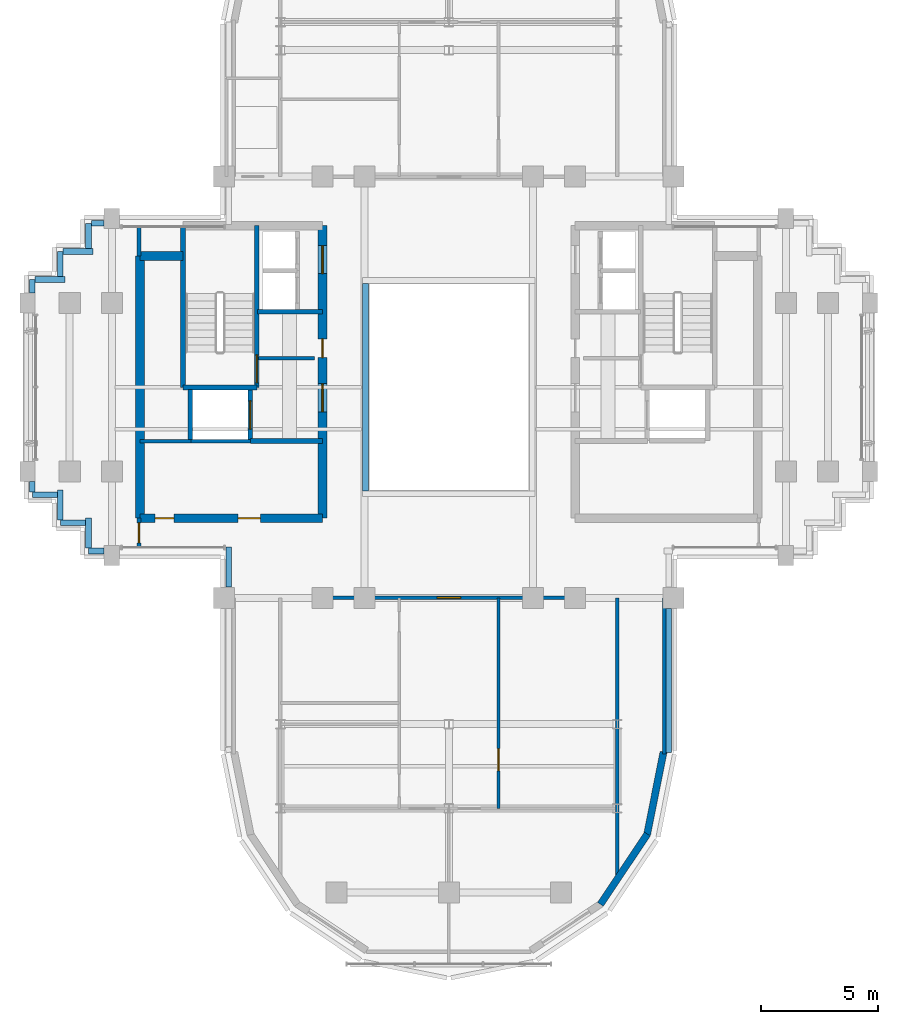
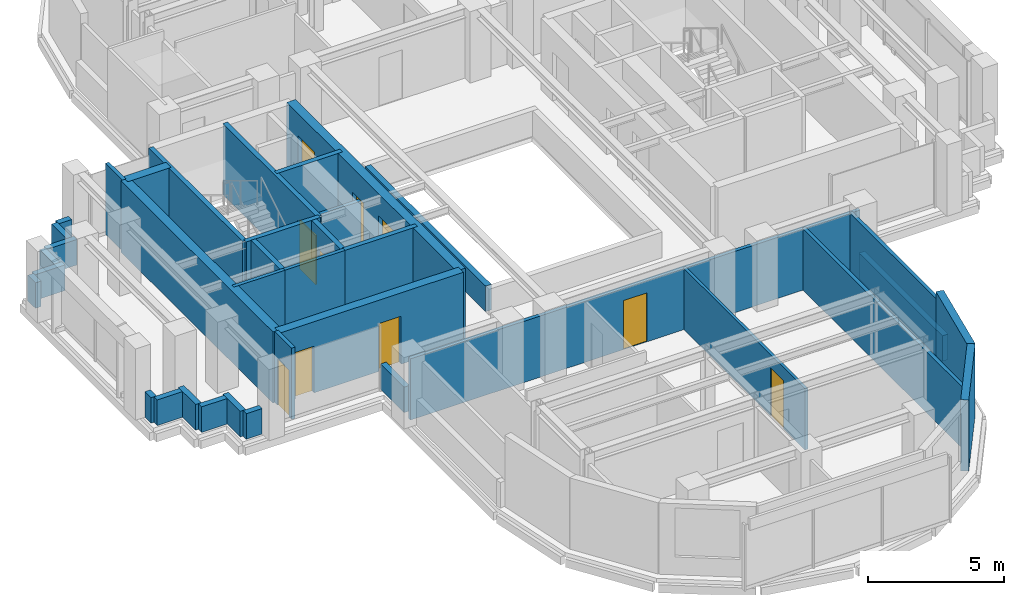
# One storey, part 6 of 11: 37 walls, 10 doors, 10 openings.
"""IFC4 building model written with IfcOpenShell, lengths in metres."""

from ifc_helpers import new_model, si_unit, direction, frame, frame_2d, origin, place, context, subcontext, project, spatial, rectangle, extrude, source, transform, mapped, material, layer, layer_set, type_object, element, fill, save


model = new_model("IFC4")

# Units and contexts
model_context = context("Model", 3, precision=1e-05, world=origin(), true_north=direction((0.0, 1.0)))
body_context = subcontext(model_context, "Body", "Model", "MODEL_VIEW")
ifc_project = project(units=[si_unit("LENGTHUNIT", "METRE"), si_unit("AREAUNIT", "SQUARE_METRE"), si_unit("VOLUMEUNIT", "CUBIC_METRE"), si_unit("PLANEANGLEUNIT", "RADIAN"), si_unit("MASSUNIT", "GRAM", prefix="KILO")], contexts=[model_context])

# Site, building, storey
site_placement = place(None, origin())
site = spatial("IfcSite", under=ifc_project, at=site_placement, CompositionType="ELEMENT")
building_placement = place(site_placement, origin())
building = spatial("IfcBuilding", under=site, at=building_placement, Name="Keilestroom Media Tower", CompositionType="ELEMENT")
storey_placement = place(building_placement, frame((0.0, 0.0, 204.60009765625)))
storey = spatial("IfcBuildingStorey", under=building, at=storey_placement, Name="L56", CompositionType="ELEMENT", Elevation=204.60009765625)

# Walls
ifc_material_1 = material(Name="Precast concrete C40/50", Category="concrete")
ifc_layer_1 = layer(ifc_material_1, 0.300048828125)
ifc_layer_set_1 = layer_set([ifc_layer_1], Name="Precast concrete C40/50")
wall_type_1 = type_object("IfcWallType", Name="Exterior-Masonry-Spandrel-Wall-300", PredefinedType="SOLIDWALL", material=ifc_layer_set_1)
for number, where, z_axis, x_axis, name in (
    (1, (6.47705078125, -22.097900390625, 0.0), (0.0, 0.0, 1.0), (0.555574187116, 0.831466970246, 0.0), "L56 Lobe Facet Precast Frame Wall 11"),
    (2, (8.470703125, -19.12451171875, 0.0), (0.0, 0.0, 1.0), (0.195114232679, 0.980780523974, 0.0), "L56 Lobe Facet Precast Frame Wall 12"),
):
    element("IfcWall", number, at=place(storey_placement, frame(where, z_axis=z_axis, x_axis=x_axis)), inside=storey, type_object=wall_type_1, Name=name, PredefinedType="SOLIDWALL", context=body_context, shape_type="SweptSolid", body=[
        extrude(rectangle(XDim=3.608642578125, YDim=0.300048828125, at=frame_2d((1.80419921875, 0.0))), origin(), (0.0, 0.0, 1.0), 3.199951171875),
    ])

# Wall, opening, door
ifc_material_2 = material(Name="Gypsum Plasterboard & Steel Stud", Category="steel")
ifc_layer_2 = layer(ifc_material_2, 0.1201171875)
ifc_layer_set_2 = layer_set([ifc_layer_2], Name="Gypsum Plasterboard & Steel Stud")
wall_type_2 = type_object("IfcWallType", Name="Interior-Partition-Wall-120", PredefinedType="PARTITIONING", material=ifc_layer_set_2)
wall_1_placement = place(storey_placement, frame((2.1201171875, -18.0, 0.0), z_axis=(0.0, 0.0, 1.0), x_axis=(0.0, 1.0, 0.0)))
wall_1 = element("IfcWall", 3, at=wall_1_placement, inside=storey, type_object=wall_type_2, Name="L56 Interior Wall WP-L56-FW-S-HE", PredefinedType="PARTITIONING", context=body_context, shape_type="SweptSolid", body=[
    extrude(rectangle(XDim=9.0, YDim=0.1201171875, at=frame_2d((4.5, 0.0))), origin(), (0.0, 0.0, 1.0), 2.75),
])
opening_1_placement = place(wall_1_placement, frame((1.60009765625, 0.0, 0.0)))
opening_1 = element("IfcOpeningElement", 4, at=opening_1_placement, cuts=wall_1, Name="Opening DI-03", PredefinedType="OPENING", context=body_context, shape_type="SweptSolid", body=[
    extrude(rectangle(XDim=0.949951171875, YDim=2.14990234375, at=frame_2d((0.47509765625, 1.074951171875))), frame((0.0, 0.070068359375, 0.0), z_axis=(0.0, -1.0, 0.0), x_axis=(1.0, 0.0, 0.0)), (0.0, 0.0, 1.0), 0.14013671875),
])
ifc_material_3 = material(Name="Lacquered European Oak Leaf", Category="wood")
door_type_1 = type_object("IfcDoorType", Name="Interior-Room-And-Suite-Door-DI-03", OperationType="NOTDEFINED", PredefinedType="DOOR", material=ifc_material_3)
shared_shape_1 = source(origin(), body_context, "Body", "SweptSolid", [
    extrude(rectangle(XDim=0.949951171875, YDim=2.14990234375, at=frame_2d((0.47509765625, 1.074951171875))), frame((0.0, 0.02490234375, 0.0), z_axis=(0.0, -1.0, 0.0), x_axis=(1.0, 0.0, 0.0)), (0.0, 0.0, 1.0), 0.050048828125),
])
door_1_placement = place(opening_1_placement, origin())
door_1 = element("IfcDoor", 5, at=door_1_placement, inside=storey, type_object=door_type_1, Name="L56 Interior Door DI-L56-DFKIT-S", OperationType="SINGLE_SWING_LEFT", OverallHeight=2.14990234375, OverallWidth=0.949951171875, PredefinedType="DOOR", context=body_context, shape_type="MappedRepresentation", body=[
    mapped(shared_shape_1, transform((0.0, 0.0, 0.0), x_axis=(1.0, 0.0, 0.0), y_axis=(0.0, 1.0, 0.0), z_axis=(0.0, 0.0, 1.0), scale=1.0)),
])
fill(opening_1, door_1)

# Walls
ifc_layer_3 = layer(ifc_material_2, 0.14990234375)
ifc_layer_set_3 = layer_set([ifc_layer_3], Name="Gypsum Plasterboard & Steel Stud")
wall_type_3 = type_object("IfcWallType", Name="Interior-Partition-Wall-150", PredefinedType="PARTITIONING", material=ifc_layer_set_3)
wall_2_placement = place(storey_placement, frame((-8.139892578125, 1.239990234375, 0.0), z_axis=(0.0, 0.0, 1.0), x_axis=(1.0, 0.0, 0.0)))
element("IfcWall", 6, at=wall_2_placement, inside=storey, type_object=wall_type_3, Name="L56 Interior Wall WP-L56-FFW-TOP", PredefinedType="PARTITIONING", context=body_context, shape_type="SweptSolid", body=[
    extrude(rectangle(XDim=2.389892578125, YDim=0.14990234375, at=frame_2d((1.19482421875, 0.0))), origin(), (0.0, 0.0, 1.0), 2.2998046875),
])
wall_3_placement = place(storey_placement, frame((-13.199951171875, -2.320068359375, 0.0), z_axis=(0.0, 0.0, 1.0), x_axis=(1.0, 0.0, 0.0)))
element("IfcWall", 7, at=wall_3_placement, inside=storey, type_object=wall_type_3, Name="L56 Interior Wall WP-L56-RECLW-N", PredefinedType="PARTITIONING", context=body_context, shape_type="SweptSolid", body=[
    extrude(rectangle(XDim=2.179931640625, YDim=0.14990234375, at=frame_2d((1.08984375, 0.0))), origin(), (0.0, 0.0, 1.0), 3.199951171875),
])
wall_4_placement = place(storey_placement, frame((-11.0400390625, -2.320068359375, 0.0), z_axis=(0.0, 0.0, 1.0), x_axis=(1.0, 0.0, 0.0)))
element("IfcWall", 8, at=wall_4_placement, inside=storey, type_object=wall_type_3, Name="L56 Interior Wall WP-L56-RECMW-N", PredefinedType="PARTITIONING", context=body_context, shape_type="SweptSolid", body=[
    extrude(rectangle(XDim=2.56005859375, YDim=0.14990234375, at=frame_2d((1.280029296875, 0.0))), origin(), (0.0, 0.0, 1.0), 3.199951171875),
])

# Wall, opening, door
wall_5_placement = place(storey_placement, frame((-9.550048828125, -9.0, 0.0), z_axis=(0.0, 0.0, 1.0), x_axis=(1.0, 0.0, 0.0)))
wall_5 = element("IfcWall", 9, at=wall_5_placement, inside=storey, type_object=wall_type_3, Name="L56 Interior Wall WP-L56-FLT-S-ENTRY", PredefinedType="PARTITIONING", context=body_context, shape_type="SweptSolid", body=[
    extrude(rectangle(XDim=19.10009765625, YDim=0.14990234375, at=frame_2d((9.550048828125, 0.0))), origin(), (0.0, 0.0, 1.0), 2.75),
])
opening_2_placement = place(wall_5_placement, frame((9.050048828125, 0.0, 0.0)))
opening_2 = element("IfcOpeningElement", 10, at=opening_2_placement, cuts=wall_5, Name="Opening DI-01", PredefinedType="OPENING", context=body_context, shape_type="SweptSolid", body=[
    extrude(rectangle(XDim=1.0, YDim=2.199951171875, at=frame_2d((0.5, 1.10009765625))), frame((0.0, 0.0849609375, 0.0), z_axis=(0.0, -1.0, 0.0), x_axis=(1.0, 0.0, 0.0)), (0.0, 0.0, 1.0), 0.169921875),
])
ifc_material_4 = material(Name="Solid-Core Timber Acoustic Fire Leaf", Category="wood")
door_type_2 = type_object("IfcDoorType", Name="Interior-Apartment-Entrance-Door-DI-01", OperationType="NOTDEFINED", PredefinedType="DOOR", material=ifc_material_4)
shared_shape_2 = source(origin(), body_context, "Body", "SweptSolid", [
    extrude(rectangle(XDim=1.0, YDim=2.199951171875, at=frame_2d((0.5, 1.10009765625))), frame((0.0, 0.02490234375, 0.0), z_axis=(0.0, -1.0, 0.0), x_axis=(1.0, 0.0, 0.0)), (0.0, 0.0, 1.0), 0.050048828125),
])
door_2_placement = place(opening_2_placement, origin())
door_2 = element("IfcDoor", 11, at=door_2_placement, inside=storey, type_object=door_type_2, Name="L56 Interior Door DI-L56-DFENT-S", OperationType="SINGLE_SWING_RIGHT", OverallHeight=2.199951171875, OverallWidth=1.0, PredefinedType="DOOR", context=body_context, shape_type="MappedRepresentation", body=[
    mapped(shared_shape_2, transform((0.0, 0.0, 0.0), x_axis=(1.0, 0.0, 0.0), y_axis=(0.0, 1.0, 0.0), z_axis=(0.0, 0.0, 1.0), scale=1.0)),
])
fill(opening_2, door_2)

# Walls
wall_6_placement = place(storey_placement, frame((9.199951171875, -15.679931640625, 0.0), z_axis=(0.0, 0.0, 1.0), x_axis=(0.0, 1.0, 0.0)))
element("IfcWall", 12, at=wall_6_placement, inside=storey, type_object=wall_type_3, Name="L56 Interior Wall WP-L56-SL-CHKE", PredefinedType="PARTITIONING", context=body_context, shape_type="SweptSolid", body=[
    extrude(rectangle(XDim=6.679931640625, YDim=0.14990234375, at=frame_2d((3.33984375, 0.0))), origin(), (0.0, 0.0, 1.0), 2.75),
])
wall_7_placement = place(storey_placement, frame((7.199951171875, -21.02001953125, 0.0), z_axis=(0.0, 0.0, 1.0), x_axis=(0.0, 1.0, 0.0)))
element("IfcWall", 13, at=wall_7_placement, inside=storey, type_object=wall_type_3, Name="L56 Interior Wall WP-L56-FW-S-VR", PredefinedType="PARTITIONING", context=body_context, shape_type="SweptSolid", body=[
    extrude(rectangle(XDim=12.02001953125, YDim=0.14990234375, at=frame_2d((6.010009765625, 0.0))), origin(), (0.0, 0.0, 1.0), 2.75),
])
wall_8_placement = place(storey_placement, frame((-13.239990234375, 5.60009765625, 0.0), z_axis=(0.0, 0.0, 1.0), x_axis=(0.0, 1.0, 0.0)))
element("IfcWall", 14, at=wall_8_placement, inside=storey, type_object=wall_type_3, Name="L56 Interior Wall WP-L56-RLIB-ENTN", PredefinedType="PARTITIONING", context=body_context, shape_type="SweptSolid", body=[
    extrude(rectangle(XDim=1.25, YDim=0.14990234375, at=frame_2d((0.625, 0.0))), origin(), (0.0, 0.0, 1.0), 3.199951171875),
])

# Wall, opening, door
wall_9_placement = place(storey_placement, frame((-13.239990234375, -6.85009765625, 0.0), z_axis=(0.0, 0.0, 1.0), x_axis=(0.0, 1.0, 0.0)))
wall_9 = element("IfcWall", 15, at=wall_9_placement, inside=storey, type_object=wall_type_3, Name="L56 Interior Wall WP-L56-RLIB-ENTS", PredefinedType="PARTITIONING", context=body_context, shape_type="SweptSolid", body=[
    extrude(rectangle(XDim=1.25, YDim=0.14990234375, at=frame_2d((0.625, 0.0))), origin(), (0.0, 0.0, 1.0), 3.199951171875),
])
opening_3_placement = place(wall_9_placement, frame((0.199951171875, 0.0, 0.0)))
opening_3 = element("IfcOpeningElement", 16, at=opening_3_placement, cuts=wall_9, Name="Opening DI-05", PredefinedType="OPENING", context=body_context, shape_type="SweptSolid", body=[
    extrude(rectangle(XDim=0.85009765625, YDim=2.10009765625, at=frame_2d((0.425048828125, 1.050048828125))), frame((0.0, 0.0849609375, 0.0), z_axis=(0.0, -1.0, 0.0), x_axis=(1.0, 0.0, 0.0)), (0.0, 0.0, 1.0), 0.169921875),
])
ifc_material_5 = material(Name="Moisture-Resistant Oak Leaf", Category="wood")
door_type_3 = type_object("IfcDoorType", Name="Interior-En-Suite-And-Cupboard-Door-DI-05", OperationType="NOTDEFINED", PredefinedType="DOOR", material=ifc_material_5)
shared_shape_3 = source(origin(), body_context, "Body", "SweptSolid", [
    extrude(rectangle(XDim=0.85009765625, YDim=2.10009765625, at=frame_2d((0.425048828125, 1.050048828125))), frame((0.0, 0.02490234375, 0.0), z_axis=(0.0, -1.0, 0.0), x_axis=(1.0, 0.0, 0.0)), (0.0, 0.0, 1.0), 0.050048828125),
])
door_3_placement = place(opening_3_placement, origin())
door_3 = element("IfcDoor", 17, at=door_3_placement, inside=storey, type_object=door_type_3, Name="L56 Interior Door DI-L56-DRLIB-W", OperationType="SINGLE_SWING_RIGHT", OverallHeight=2.10009765625, OverallWidth=0.85009765625, PredefinedType="DOOR", context=body_context, shape_type="MappedRepresentation", body=[
    mapped(shared_shape_3, transform((0.0, 0.0, 0.0), x_axis=(1.0, 0.0, 0.0), y_axis=(0.0, 1.0, 0.0), z_axis=(0.0, 0.0, 1.0), scale=1.0)),
])
fill(opening_3, door_3)

# Wall
ifc_material_6 = material(Name="Concrete C55/67", Category="concrete")
ifc_layer_4 = layer(ifc_material_6, 0.3798828125)
ifc_layer_set_4 = layer_set([ifc_layer_4], Name="Concrete C55/67")
wall_type_4 = type_object("IfcWallType", Name="Reinforced-Concrete-Core-Shear-Wall-380", PredefinedType="SHEAR", material=ifc_layer_set_4)
wall_10_placement = place(storey_placement, frame((-13.199951171875, -5.60009765625, 0.0), z_axis=(0.0, 0.0, 1.0), x_axis=(0.0, 1.0, 0.0)))
element("IfcWall", 18, at=wall_10_placement, inside=storey, type_object=wall_type_4, Name="L56 Core Shear Wall WL-L56-CORE-W-OUT", PredefinedType="SHEAR", context=body_context, shape_type="SweptSolid", body=[
    extrude(rectangle(XDim=11.2001953125, YDim=0.3798828125, at=frame_2d((5.60009765625, 0.0))), origin(), (0.0, 0.0, 1.0), 3.199951171875),
])

# Wall, openings, doors
wall_11_placement = place(storey_placement, frame((-5.39990234375, -5.60009765625, 0.0), z_axis=(0.0, 0.0, 1.0), x_axis=(0.0, 1.0, 0.0)))
wall_11 = element("IfcWall", 19, at=wall_11_placement, inside=storey, type_object=wall_type_4, Name="L56 Core Shear Wall WL-L56-CORE-W-IN", PredefinedType="SHEAR", context=body_context, shape_type="SweptSolid", body=[
    extrude(rectangle(XDim=12.5, YDim=0.3798828125, at=frame_2d((6.25, 0.0))), origin(), (0.0, 0.0, 1.0), 3.199951171875),
])
opening_4_placement = place(wall_11_placement, frame((4.550048828125, 0.0, 0.0)))
opening_4 = element("IfcOpeningElement", 20, at=opening_4_placement, cuts=wall_11, Name="Opening DI-02", PredefinedType="OPENING", context=body_context, shape_type="SweptSolid", body=[
    extrude(rectangle(XDim=1.199951171875, YDim=2.199951171875, at=frame_2d((0.60009765625, 1.10009765625))), frame((0.0, 0.199951171875, 0.0), z_axis=(0.0, -1.0, 0.0), x_axis=(1.0, 0.0, 0.0)), (0.0, 0.0, 1.0), 0.39990234375),
])
opening_5_placement = place(wall_11_placement, frame((10.449951171875, 0.0, 0.0)))
opening_5 = element("IfcOpeningElement", 21, at=opening_5_placement, cuts=wall_11, Name="Opening DI-02", PredefinedType="OPENING", context=body_context, shape_type="SweptSolid", body=[
    extrude(rectangle(XDim=1.199951171875, YDim=2.199951171875, at=frame_2d((0.60009765625, 1.10009765625))), frame((0.0, 0.199951171875, 0.0), z_axis=(0.0, -1.0, 0.0), x_axis=(1.0, 0.0, 0.0)), (0.0, 0.0, 1.0), 0.39990234375),
])
opening_6_placement = place(wall_11_placement, frame((6.860107421875, 0.0, 0.0)))
opening_6 = element("IfcOpeningElement", 22, at=opening_6_placement, cuts=wall_11, Name="Opening DI-06", PredefinedType="OPENING", context=body_context, shape_type="SweptSolid", body=[
    extrude(rectangle(XDim=0.800048828125, YDim=2.10009765625, at=frame_2d((0.39990234375, 1.050048828125))), frame((0.0, 0.199951171875, 0.0), z_axis=(0.0, -1.0, 0.0), x_axis=(1.0, 0.0, 0.0)), (0.0, 0.0, 1.0), 0.39990234375),
])
ifc_material_7 = material(Name="Powder-Coated Steel Fire Leaf", Category="steel")
door_type_4 = type_object("IfcDoorType", Name="Interior-Compartment-Fire-Door-DI-02", OperationType="NOTDEFINED", PredefinedType="DOOR", material=ifc_material_7)
shared_shape_4 = source(origin(), body_context, "Body", "SweptSolid", [
    extrude(rectangle(XDim=1.199951171875, YDim=2.199951171875, at=frame_2d((0.60009765625, 1.10009765625))), frame((0.0, 0.02490234375, 0.0), z_axis=(0.0, -1.0, 0.0), x_axis=(1.0, 0.0, 0.0)), (0.0, 0.0, 1.0), 0.050048828125),
])
door_4_placement = place(opening_4_placement, origin())
door_4 = element("IfcDoor", 23, at=door_4_placement, inside=storey, type_object=door_type_4, Name="L56 W Firefighting Lobby Door", OperationType="SINGLE_SWING_RIGHT", OverallHeight=2.199951171875, OverallWidth=1.199951171875, PredefinedType="DOOR", context=body_context, shape_type="MappedRepresentation", body=[
    mapped(shared_shape_4, transform((0.0, 0.0, 0.0), x_axis=(1.0, 0.0, 0.0), y_axis=(0.0, 1.0, 0.0), z_axis=(0.0, 0.0, 1.0), scale=1.0)),
])
fill(opening_4, door_4)
door_5_placement = place(opening_5_placement, origin())
door_5 = element("IfcDoor", 24, at=door_5_placement, inside=storey, type_object=door_type_4, Name="L56 W High-Rise Lift Lobby Door", OperationType="SINGLE_SWING_LEFT", OverallHeight=2.199951171875, OverallWidth=1.199951171875, PredefinedType="DOOR", context=body_context, shape_type="MappedRepresentation", body=[
    mapped(shared_shape_4, transform((0.0, 0.0, 0.0), x_axis=(1.0, 0.0, 0.0), y_axis=(0.0, 1.0, 0.0), z_axis=(0.0, 0.0, 1.0), scale=1.0)),
])
fill(opening_5, door_5)
ifc_material_8 = material(Name="Powder-Coated Steel Service Leaf", Category="steel")
door_type_5 = type_object("IfcDoorType", Name="Interior-Riser-Access-Door-DI-06", OperationType="NOTDEFINED", PredefinedType="DOOR", material=ifc_material_8)
shared_shape_5 = source(origin(), body_context, "Body", "SweptSolid", [
    extrude(rectangle(XDim=0.800048828125, YDim=2.10009765625, at=frame_2d((0.39990234375, 1.050048828125))), frame((0.0, 0.02490234375, 0.0), z_axis=(0.0, -1.0, 0.0), x_axis=(1.0, 0.0, 0.0)), (0.0, 0.0, 1.0), 0.050048828125),
])
door_6_placement = place(opening_6_placement, origin())
door_6 = element("IfcDoor", 25, at=door_6_placement, inside=storey, type_object=door_type_5, Name="L56 West Core Switchroom Door", OperationType="SINGLE_SWING_LEFT", OverallHeight=2.10009765625, OverallWidth=0.800048828125, PredefinedType="DOOR", context=body_context, shape_type="MappedRepresentation", body=[
    mapped(shared_shape_5, transform((0.0, 0.0, 0.0), x_axis=(1.0, 0.0, 0.0), y_axis=(0.0, 1.0, 0.0), z_axis=(0.0, 0.0, 1.0), scale=1.0)),
])
fill(opening_6, door_6)

# Wall
wall_12_placement = place(storey_placement, frame((-13.199951171875, 5.60009765625, 0.0), z_axis=(0.0, 0.0, 1.0), x_axis=(1.0, 0.0, 0.0)))
element("IfcWall", 26, at=wall_12_placement, inside=storey, type_object=wall_type_4, Name="L56 Core Shear Wall WL-L56-CNW-N", PredefinedType="SHEAR", context=body_context, shape_type="SweptSolid", body=[
    extrude(rectangle(XDim=1.843994140625, YDim=0.3798828125, at=frame_2d((0.921875, 0.0))), origin(), (0.0, 0.0, 1.0), 3.199951171875),
])

# Wall, openings, doors
wall_13_placement = place(storey_placement, frame((-13.199951171875, -5.60009765625, 0.0), z_axis=(0.0, 0.0, 1.0), x_axis=(1.0, 0.0, 0.0)))
wall_13 = element("IfcWall", 27, at=wall_13_placement, inside=storey, type_object=wall_type_4, Name="L56 Core Shear Wall WL-L56-CORE-W-S", PredefinedType="SHEAR", context=body_context, shape_type="SweptSolid", body=[
    extrude(rectangle(XDim=7.800048828125, YDim=0.3798828125, at=frame_2d((3.89990234375, 0.0))), origin(), (0.0, 0.0, 1.0), 3.199951171875),
])
opening_7_placement = place(wall_13_placement, frame((0.64990234375, 0.0, 0.0)))
opening_7 = element("IfcOpeningElement", 28, at=opening_7_placement, cuts=wall_13, Name="Opening DI-06", PredefinedType="OPENING", context=body_context, shape_type="SweptSolid", body=[
    extrude(rectangle(XDim=0.800048828125, YDim=2.10009765625, at=frame_2d((0.39990234375, 1.050048828125))), frame((0.0, 0.199951171875, 0.0), z_axis=(0.0, -1.0, 0.0), x_axis=(1.0, 0.0, 0.0)), (0.0, 0.0, 1.0), 0.39990234375),
])
opening_8_placement = place(wall_13_placement, frame((4.199951171875, 0.0, 0.0)))
opening_8 = element("IfcOpeningElement", 29, at=opening_8_placement, cuts=wall_13, Name="Opening DI-03", PredefinedType="OPENING", context=body_context, shape_type="SweptSolid", body=[
    extrude(rectangle(XDim=0.949951171875, YDim=2.14990234375, at=frame_2d((0.47509765625, 1.074951171875))), frame((0.0, 0.199951171875, 0.0), z_axis=(0.0, -1.0, 0.0), x_axis=(1.0, 0.0, 0.0)), (0.0, 0.0, 1.0), 0.39990234375),
])
door_7_placement = place(opening_7_placement, origin())
door_7 = element("IfcDoor", 30, at=door_7_placement, inside=storey, type_object=door_type_5, Name="L56 Reclaimed West Core Room Door", OperationType="SINGLE_SWING_LEFT", OverallHeight=2.10009765625, OverallWidth=0.800048828125, PredefinedType="DOOR", context=body_context, shape_type="MappedRepresentation", body=[
    mapped(shared_shape_5, transform((0.0, 0.0, 0.0), x_axis=(1.0, 0.0, 0.0), y_axis=(0.0, 1.0, 0.0), z_axis=(0.0, 0.0, 1.0), scale=1.0)),
])
fill(opening_7, door_7)
door_8_placement = place(opening_8_placement, origin())
door_8 = element("IfcDoor", 31, at=door_8_placement, inside=storey, type_object=door_type_1, Name="L56 Reclaimed Mid West Room Door", OperationType="SINGLE_SWING_LEFT", OverallHeight=2.14990234375, OverallWidth=0.949951171875, PredefinedType="DOOR", context=body_context, shape_type="MappedRepresentation", body=[
    mapped(shared_shape_1, transform((0.0, 0.0, 0.0), x_axis=(1.0, 0.0, 0.0), y_axis=(0.0, 1.0, 0.0), z_axis=(0.0, 0.0, 1.0), scale=1.0)),
])
fill(opening_8, door_8)

# Walls
ifc_material_9 = material(Name="Concrete C50/60", Category="concrete")
ifc_layer_5 = layer(ifc_material_9, 0.199951171875)
ifc_layer_set_5 = layer_set([ifc_layer_5], Name="Concrete C50/60")
wall_type_5 = type_object("IfcWallType", Name="Reinforced-Concrete-Shaft-Wall-200", PredefinedType="SOLIDWALL", material=ifc_layer_set_5)
wall_14_placement = place(storey_placement, frame((-8.179931640625, 3.219970703125, 0.0), z_axis=(0.0, 0.0, 1.0), x_axis=(1.0, 0.0, 0.0)))
element("IfcWall", 32, at=wall_14_placement, inside=storey, type_object=wall_type_5, Name="L56 Core Shear Wall WL-L56-CORE-W-FFN", PredefinedType="SOLIDWALL", context=body_context, shape_type="SweptSolid", body=[
    extrude(rectangle(XDim=2.780029296875, YDim=0.199951171875, at=frame_2d((1.39013671875, 0.0))), origin(), (0.0, 0.0, 1.0), 3.199951171875),
])
wall_15_placement = place(storey_placement, frame((-8.47998046875, -2.300048828125, 0.0), z_axis=(0.0, 0.0, 1.0), x_axis=(1.0, 0.0, 0.0)))
element("IfcWall", 33, at=wall_15_placement, inside=storey, type_object=wall_type_5, Name="L56 Core Shear Wall WL-L56-CORE-W-FFS", PredefinedType="SOLIDWALL", context=body_context, shape_type="SweptSolid", body=[
    extrude(rectangle(XDim=3.080078125, YDim=0.199951171875, at=frame_2d((1.5400390625, 0.0))), origin(), (0.0, 0.0, 1.0), 3.199951171875),
])

# Wall, opening, door
wall_16_placement = place(storey_placement, frame((-8.2041015625, -0.01611328125, 0.0), z_axis=(0.0, 0.0, 1.0), x_axis=(0.0, 1.0, 0.0)))
wall_16 = element("IfcWall", 34, at=wall_16_placement, inside=storey, type_object=wall_type_5, Name="L56 Core Shear Wall WL-L56-STW-W-NEAR", PredefinedType="SOLIDWALL", context=body_context, shape_type="SweptSolid", body=[
    extrude(rectangle(XDim=6.916015625, YDim=0.199951171875, at=frame_2d((3.4580078125, 0.0))), origin(), (0.0, 0.0, 1.0), 3.199951171875),
])
opening_9_placement = place(wall_16_placement, frame((0.199951171875, 0.0, 0.0)))
opening_9 = element("IfcOpeningElement", 35, at=opening_9_placement, cuts=wall_16, Name="Opening DI-01S", PredefinedType="OPENING", context=body_context, shape_type="SweptSolid", body=[
    extrude(rectangle(XDim=1.199951171875, YDim=2.199951171875, at=frame_2d((0.60009765625, 1.10009765625))), frame((0.0, 0.10986328125, 0.0), z_axis=(0.0, -1.0, 0.0), x_axis=(1.0, 0.0, 0.0)), (0.0, 0.0, 1.0), 0.219970703125),
])
door_type_6 = type_object("IfcDoorType", Name="Interior-Stair-And-Core-Fire-Door-DI-01", OperationType="NOTDEFINED", PredefinedType="DOOR", material=ifc_material_7)
door_9_placement = place(opening_9_placement, origin())
door_9 = element("IfcDoor", 36, at=door_9_placement, inside=storey, type_object=door_type_6, Name="L56 Escape Stair ST-1 Fire Door", OperationType="SINGLE_SWING_LEFT", OverallHeight=2.199951171875, OverallWidth=1.199951171875, PredefinedType="DOOR", context=body_context, shape_type="MappedRepresentation", body=[
    mapped(shared_shape_4, transform((0.0, 0.0, 0.0), x_axis=(1.0, 0.0, 0.0), y_axis=(0.0, 1.0, 0.0), z_axis=(0.0, 0.0, 1.0), scale=1.0)),
])
fill(opening_9, door_9)

# Walls
wall_17_placement = place(storey_placement, frame((-11.35595703125, -0.01611328125, 0.0), z_axis=(0.0, 0.0, 1.0), x_axis=(0.0, 1.0, 0.0)))
element("IfcWall", 37, at=wall_17_placement, inside=storey, type_object=wall_type_5, Name="L56 Core Shear Wall WL-L56-STW-W-FAR", PredefinedType="SOLIDWALL", context=body_context, shape_type="SweptSolid", body=[
    extrude(rectangle(XDim=6.916015625, YDim=0.199951171875, at=frame_2d((3.4580078125, 0.0))), origin(), (0.0, 0.0, 1.0), 3.199951171875),
])
wall_18_placement = place(storey_placement, frame((-11.35595703125, -0.01611328125, 0.0), z_axis=(0.0, 0.0, 1.0), x_axis=(1.0, 0.0, 0.0)))
element("IfcWall", 38, at=wall_18_placement, inside=storey, type_object=wall_type_5, Name="L56 Core Shear Wall WL-L56-STW-W-S", PredefinedType="SOLIDWALL", context=body_context, shape_type="SweptSolid", body=[
    extrude(rectangle(XDim=3.15185546875, YDim=0.199951171875, at=frame_2d((1.575927734375, 0.0))), origin(), (0.0, 0.0, 1.0), 3.199951171875),
])
wall_19_placement = place(storey_placement, frame((-11.050048828125, -2.280029296875, 0.0), z_axis=(0.0, 0.0, 1.0), x_axis=(0.0, 1.0, 0.0)))
element("IfcWall", 39, at=wall_19_placement, inside=storey, type_object=wall_type_5, Name="L56 Core Shear Wall WL-L56-LSH-FFL-1-W", PredefinedType="SOLIDWALL", context=body_context, shape_type="SweptSolid", body=[
    extrude(rectangle(XDim=2.179931640625, YDim=0.199951171875, at=frame_2d((1.08984375, 0.0))), origin(), (0.0, 0.0, 1.0), 3.199951171875),
])

# Wall, opening, door
wall_20_placement = place(storey_placement, frame((-8.47998046875, -2.280029296875, 0.0), z_axis=(0.0, 0.0, 1.0), x_axis=(0.0, 1.0, 0.0)))
wall_20 = element("IfcWall", 40, at=wall_20_placement, inside=storey, type_object=wall_type_5, Name="L56 Core Shear Wall WL-L56-LSH-FFL-1-E", PredefinedType="SOLIDWALL", context=body_context, shape_type="SweptSolid", body=[
    extrude(rectangle(XDim=2.179931640625, YDim=0.199951171875, at=frame_2d((1.08984375, 0.0))), origin(), (0.0, 0.0, 1.0), 3.199951171875),
])
opening_10_placement = place(wall_20_placement, frame((0.489990234375, 0.0, 0.0)))
opening_10 = element("IfcOpeningElement", 41, at=opening_10_placement, cuts=wall_20, Name="Opening LD-02", PredefinedType="OPENING", context=body_context, shape_type="SweptSolid", body=[
    extrude(rectangle(XDim=1.199951171875, YDim=2.199951171875, at=frame_2d((0.60009765625, 1.10009765625))), frame((0.0, 0.10986328125, 0.0), z_axis=(0.0, -1.0, 0.0), x_axis=(1.0, 0.0, 0.0)), (0.0, 0.0, 1.0), 0.219970703125),
])
ifc_material_10 = material(Name="Brushed Stainless Steel Sliding Leaf", Category="steel")
door_type_7 = type_object("IfcDoorType", Name="Lift-Landing-Sliding-Door-LD-02", OperationType="SLIDING_TO_RIGHT", PredefinedType="DOOR", material=ifc_material_10)
door_10_placement = place(opening_10_placement, origin())
door_10 = element("IfcDoor", 42, at=door_10_placement, inside=storey, type_object=door_type_7, Name="L56 Lift FFL-1 Landing Sliding Door", OperationType="SLIDING_TO_RIGHT", OverallHeight=2.199951171875, OverallWidth=1.199951171875, PredefinedType="DOOR", context=body_context, shape_type="MappedRepresentation", body=[
    mapped(shared_shape_4, transform((0.0, 0.0, 0.0), x_axis=(1.0, 0.0, 0.0), y_axis=(0.0, 1.0, 0.0), z_axis=(0.0, 0.0, 1.0), scale=1.0)),
])
fill(opening_10, door_10)

# Walls
ifc_layer_6 = layer(ifc_material_1, 0.239990234375)
ifc_layer_set_6 = layer_set([ifc_layer_6], Name="Precast concrete C40/50")
wall_type_6 = type_object("IfcWallType", Name="Roof-And-Terrace-Parapet-Wall-240", PredefinedType="PARAPET", material=ifc_layer_set_6)
wall_21_placement = place(storey_placement, frame((9.39990234375, -9.452880859375, 0.0), z_axis=(0.0, 0.0, 1.0), x_axis=(0.0, -1.0, 0.0)))
element("IfcWall", 43, at=wall_21_placement, inside=storey, type_object=wall_type_6, Name="L56 Perimeter Edge Parapet Wall 08", PredefinedType="PARAPET", context=body_context, shape_type="SweptSolid", body=[
    extrude(rectangle(XDim=6.14990234375, YDim=0.239990234375, at=frame_2d((3.074951171875, 0.0))), origin(), (0.0, 0.0, 1.0), 1.14990234375),
])
wall_22_placement = place(storey_placement, frame((-9.39990234375, -8.547119140625, 0.0), z_axis=(0.0, 0.0, 1.0), x_axis=(0.0, 1.0, 0.0)))
element("IfcWall", 44, at=wall_22_placement, inside=storey, type_object=wall_type_6, Name="L56 Perimeter Edge Parapet Wall 11", PredefinedType="PARAPET", context=body_context, shape_type="SweptSolid", body=[
    extrude(rectangle(XDim=1.728271484375, YDim=0.239990234375, at=frame_2d((0.8642578125, 0.0))), origin(), (0.0, 0.0, 1.0), 1.14990234375),
])
wall_23_placement = place(storey_placement, frame((-14.72802734375, -7.0, 0.0), z_axis=(0.0, 0.0, 1.0), x_axis=(-1.0, 0.0, 0.0)))
element("IfcWall", 45, at=wall_23_placement, inside=storey, type_object=wall_type_6, Name="L56 Perimeter Edge Parapet Wall 12", PredefinedType="PARAPET", context=body_context, shape_type="SweptSolid", body=[
    extrude(rectangle(XDim=0.671875, YDim=0.239990234375, at=frame_2d((0.3359375, 0.0))), origin(), (0.0, 0.0, 1.0), 1.14990234375),
])
wall_24_placement = place(storey_placement, frame((-15.39990234375, -6.876953125, 0.0), z_axis=(0.0, 0.0, 1.0), x_axis=(0.0, 1.0, 0.0)))
element("IfcWall", 46, at=wall_24_placement, inside=storey, type_object=wall_type_6, Name="L56 Perimeter Edge Parapet Wall 13", PredefinedType="PARAPET", context=body_context, shape_type="SweptSolid", body=[
    extrude(rectangle(XDim=1.27685546875, YDim=0.239990234375, at=frame_2d((0.638427734375, 0.0))), origin(), (0.0, 0.0, 1.0), 1.14990234375),
])
wall_25_placement = place(storey_placement, frame((-15.52294921875, -5.800048828125, 0.0), z_axis=(0.0, 0.0, 1.0), x_axis=(-1.0, 0.0, 0.0)))
element("IfcWall", 47, at=wall_25_placement, inside=storey, type_object=wall_type_6, Name="L56 Perimeter Edge Parapet Wall 14", PredefinedType="PARAPET", context=body_context, shape_type="SweptSolid", body=[
    extrude(rectangle(XDim=1.0771484375, YDim=0.239990234375, at=frame_2d((0.53857421875, 0.0))), origin(), (0.0, 0.0, 1.0), 1.14990234375),
])
wall_26_placement = place(storey_placement, frame((-16.60009765625, -5.677001953125, 0.0), z_axis=(0.0, 0.0, 1.0), x_axis=(0.0, 1.0, 0.0)))
element("IfcWall", 48, at=wall_26_placement, inside=storey, type_object=wall_type_6, Name="L56 Perimeter Edge Parapet Wall 15", PredefinedType="PARAPET", context=body_context, shape_type="SweptSolid", body=[
    extrude(rectangle(XDim=1.277099609375, YDim=0.239990234375, at=frame_2d((0.638671875, 0.0))), origin(), (0.0, 0.0, 1.0), 1.14990234375),
])
wall_27_placement = place(storey_placement, frame((-16.722900390625, -4.60009765625, 0.0), z_axis=(0.0, 0.0, 1.0), x_axis=(-1.0, 0.0, 0.0)))
element("IfcWall", 49, at=wall_27_placement, inside=storey, type_object=wall_type_6, Name="L56 Perimeter Edge Parapet Wall 16", PredefinedType="PARAPET", context=body_context, shape_type="SweptSolid", body=[
    extrude(rectangle(XDim=1.0771484375, YDim=0.239990234375, at=frame_2d((0.53857421875, 0.0))), origin(), (0.0, 0.0, 1.0), 1.14990234375),
])
wall_28_placement = place(storey_placement, frame((-17.800048828125, -4.47705078125, 0.0), z_axis=(0.0, 0.0, 1.0), x_axis=(0.0, 1.0, 0.0)))
element("IfcWall", 50, at=wall_28_placement, inside=storey, type_object=wall_type_6, Name="L56 Perimeter Edge Parapet Wall 17", PredefinedType="PARAPET", context=body_context, shape_type="SweptSolid", body=[
    extrude(rectangle(XDim=0.448974609375, YDim=0.239990234375, at=frame_2d((0.224609375, 0.0))), origin(), (0.0, 0.0, 1.0), 1.14990234375),
])
wall_29_placement = place(storey_placement, frame((-17.800048828125, 4.028076171875, 0.0), z_axis=(0.0, 0.0, 1.0), x_axis=(0.0, 1.0, 0.0)))
element("IfcWall", 51, at=wall_29_placement, inside=storey, type_object=wall_type_6, Name="L56 Perimeter Edge Parapet Wall 18", PredefinedType="PARAPET", context=body_context, shape_type="SweptSolid", body=[
    extrude(rectangle(XDim=0.572021484375, YDim=0.239990234375, at=frame_2d((0.2861328125, 0.0))), origin(), (0.0, 0.0, 1.0), 1.14990234375),
])
wall_30_placement = place(storey_placement, frame((-17.677001953125, 4.60009765625, 0.0), z_axis=(0.0, 0.0, 1.0), x_axis=(1.0, 0.0, 0.0)))
element("IfcWall", 52, at=wall_30_placement, inside=storey, type_object=wall_type_6, Name="L56 Perimeter Edge Parapet Wall 19", PredefinedType="PARAPET", context=body_context, shape_type="SweptSolid", body=[
    extrude(rectangle(XDim=1.277099609375, YDim=0.239990234375, at=frame_2d((0.638671875, 0.0))), origin(), (0.0, 0.0, 1.0), 1.14990234375),
])
wall_31_placement = place(storey_placement, frame((-16.60009765625, 4.722900390625, 0.0), z_axis=(0.0, 0.0, 1.0), x_axis=(0.0, 1.0, 0.0)))
element("IfcWall", 53, at=wall_31_placement, inside=storey, type_object=wall_type_6, Name="L56 Perimeter Edge Parapet Wall 20", PredefinedType="PARAPET", context=body_context, shape_type="SweptSolid", body=[
    extrude(rectangle(XDim=1.0771484375, YDim=0.239990234375, at=frame_2d((0.53857421875, 0.0))), origin(), (0.0, 0.0, 1.0), 1.14990234375),
])
wall_32_placement = place(storey_placement, frame((-16.47705078125, 5.800048828125, 0.0), z_axis=(0.0, 0.0, 1.0), x_axis=(1.0, 0.0, 0.0)))
element("IfcWall", 54, at=wall_32_placement, inside=storey, type_object=wall_type_6, Name="L56 Perimeter Edge Parapet Wall 21", PredefinedType="PARAPET", context=body_context, shape_type="SweptSolid", body=[
    extrude(rectangle(XDim=1.277099609375, YDim=0.239990234375, at=frame_2d((0.638671875, 0.0))), origin(), (0.0, 0.0, 1.0), 1.14990234375),
])
wall_33_placement = place(storey_placement, frame((-15.39990234375, 5.923095703125, 0.0), z_axis=(0.0, 0.0, 1.0), x_axis=(0.0, 1.0, 0.0)))
element("IfcWall", 55, at=wall_33_placement, inside=storey, type_object=wall_type_6, Name="L56 Perimeter Edge Parapet Wall 22", PredefinedType="PARAPET", context=body_context, shape_type="SweptSolid", body=[
    extrude(rectangle(XDim=1.076904296875, YDim=0.239990234375, at=frame_2d((0.53857421875, 0.0))), origin(), (0.0, 0.0, 1.0), 1.14990234375),
])
wall_34_placement = place(storey_placement, frame((-15.277099609375, 7.0, 0.0), z_axis=(0.0, 0.0, 1.0), x_axis=(1.0, 0.0, 0.0)))
element("IfcWall", 56, at=wall_34_placement, inside=storey, type_object=wall_type_6, Name="L56 Perimeter Edge Parapet Wall 23", PredefinedType="PARAPET", context=body_context, shape_type="SweptSolid", body=[
    extrude(rectangle(XDim=0.549072265625, YDim=0.239990234375, at=frame_2d((0.2744140625, 0.0))), origin(), (0.0, 0.0, 1.0), 1.14990234375),
])
wall_35_placement = place(storey_placement, frame((-3.56005859375, -4.43505859375, 0.0), z_axis=(0.0, 0.0, 1.0), x_axis=(0.0, 1.0, 0.0)))
element("IfcWall", 57, at=wall_35_placement, inside=storey, type_object=wall_type_6, Name="L56 Central Atrium Guard Parapet W", PredefinedType="PARAPET", context=body_context, shape_type="SweptSolid", body=[
    extrude(rectangle(XDim=8.8701171875, YDim=0.239990234375, at=frame_2d((4.43505859375, 0.0))), origin(), (0.0, 0.0, 1.0), 1.14990234375),
])

save(model, "model.ifc")
